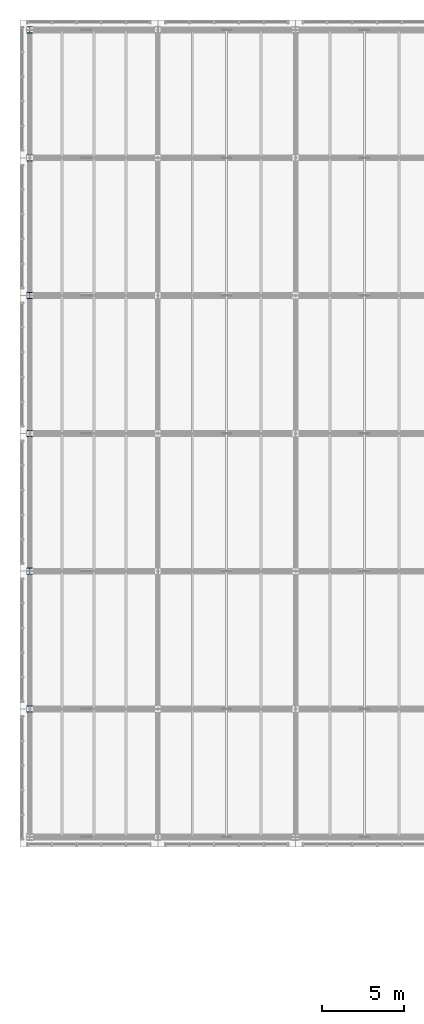
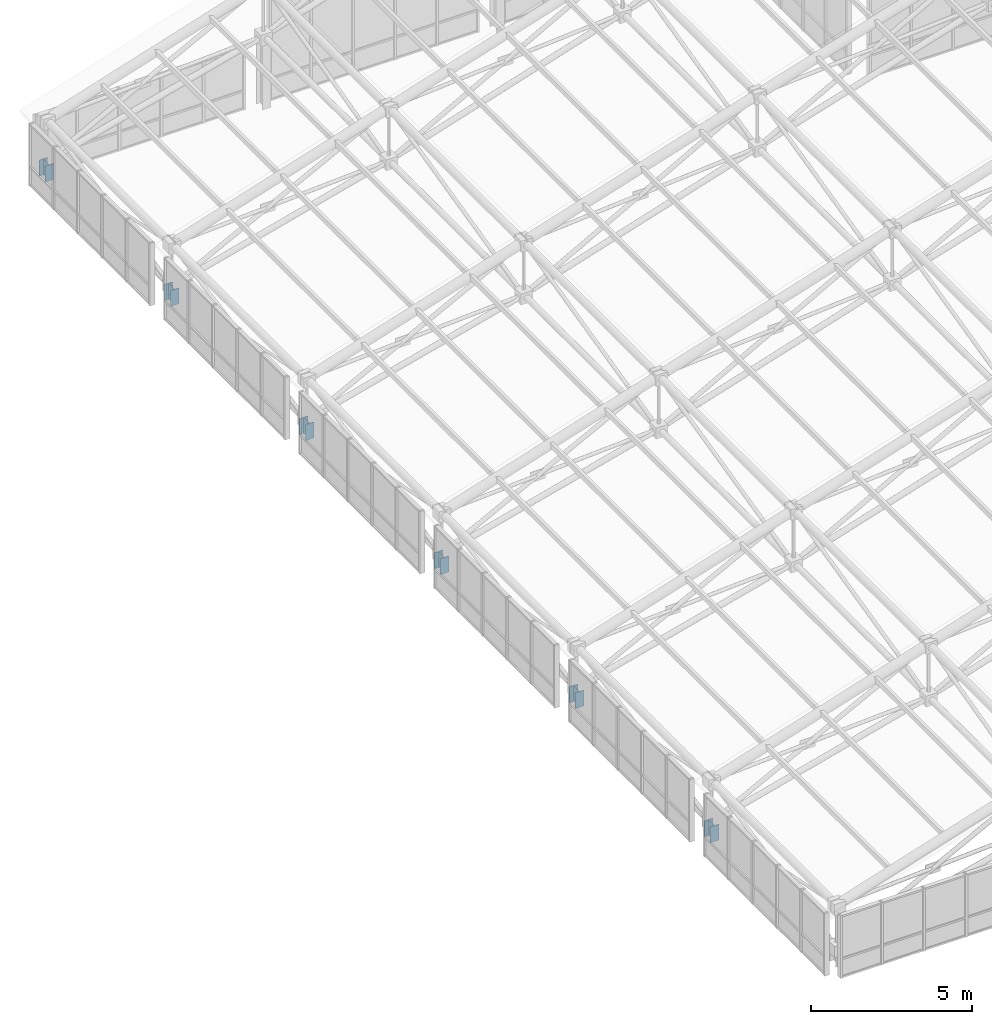
# One storey, part 13 of 144: 6 columns.
"""IFC4 building model written with IfcOpenShell, lengths in metres."""

from ifc_helpers import new_model, si_unit, direction, frame, origin, origin_2d, place, context, subcontext, project, spatial, i_section, extrude, material, material_profile, profile_set, type_object, element, save


model = new_model("IFC4")

# Units and contexts
model_context = context("Model", 3, precision=1e-05, world=origin(), true_north=direction((0.0, 1.0)))
body_context = subcontext(model_context, "Body", "Model", "MODEL_VIEW")
ifc_project = project(units=[si_unit("LENGTHUNIT", "METRE"), si_unit("AREAUNIT", "SQUARE_METRE"), si_unit("VOLUMEUNIT", "CUBIC_METRE"), si_unit("PLANEANGLEUNIT", "RADIAN"), si_unit("MASSUNIT", "GRAM", prefix="KILO")], contexts=[model_context])

# Site, building, storey
site_placement = place(None, origin())
site = spatial("IfcSite", under=ifc_project, at=site_placement, CompositionType="ELEMENT")
building_placement = place(site_placement, origin())
building = spatial("IfcBuilding", under=site, at=building_placement, Name="Zayran Congress Hotel", CompositionType="ELEMENT")
storey_placement = place(building_placement, frame((0.0, 0.0, 19.199951171875)))
storey = spatial("IfcBuildingStorey", under=building, at=storey_placement, Name="L04", CompositionType="ELEMENT", Elevation=19.199951171875)

# Columns
ifc_material = material(Name="Steel S355", Category="steel")
ifc_material_profile = material_profile(ifc_material, i_section(OverallWidth=0.300048828125, OverallDepth=0.39990234375, WebThickness=0.013427734375, FlangeThickness=0.02392578125, at=origin_2d()), Name="HEB 400")
ifc_profile_set = profile_set([ifc_material_profile], Name="Steel S355")
column_type = type_object("IfcColumnType", Name="TP-CL-07", PredefinedType="COLUMN", material=ifc_profile_set)
for number, where, z_axis, x_axis, name in (
    (1, (9.0, 76.0, 0.0), (0.0, 0.0, 1.0), (1.0, 0.0, 0.0), "COL-V1-GAB-1403"),
    (2, (9.0, 84.39990234375, 0.0), (0.0, 0.0, 1.0), (1.0, 0.0, 0.0), "COL-V1-GAB-1404"),
    (3, (9.0, 92.800048828125, 0.0), (0.0, 0.0, 1.0), (1.0, 0.0, 0.0), "COL-V1-GAB-1405"),
    (4, (9.0, 101.199951171875, 0.0), (0.0, 0.0, 1.0), (1.0, 0.0, 0.0), "COL-V1-GAB-1406"),
    (5, (9.0, 109.60009765625, 0.0), (0.0, 0.0, 1.0), (1.0, 0.0, 0.0), "COL-V1-GAB-1407"),
    (6, (9.0, 117.39990234375, 0.0), (0.0, 0.0, 1.0), (1.0, 0.0, 0.0), "COL-V1-GAB-1408"),
):
    element("IfcColumn", number, at=place(storey_placement, frame(where, z_axis=z_axis, x_axis=x_axis)), inside=storey, type_object=column_type, Name=name, PredefinedType="COLUMN", context=body_context, shape_type="SweptSolid", body=[
        extrude(i_section(OverallWidth=0.300048828125, OverallDepth=0.39990234375, WebThickness=0.013427734375, FlangeThickness=0.02392578125, at=origin_2d()), origin(), (0.0, 0.0, 1.0), 0.60009765625),
    ])

save(model, "model.ifc")
